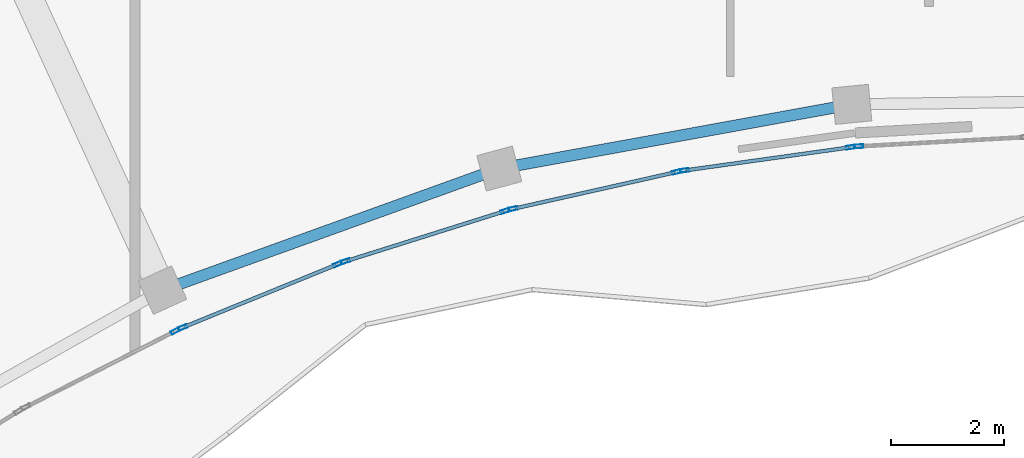
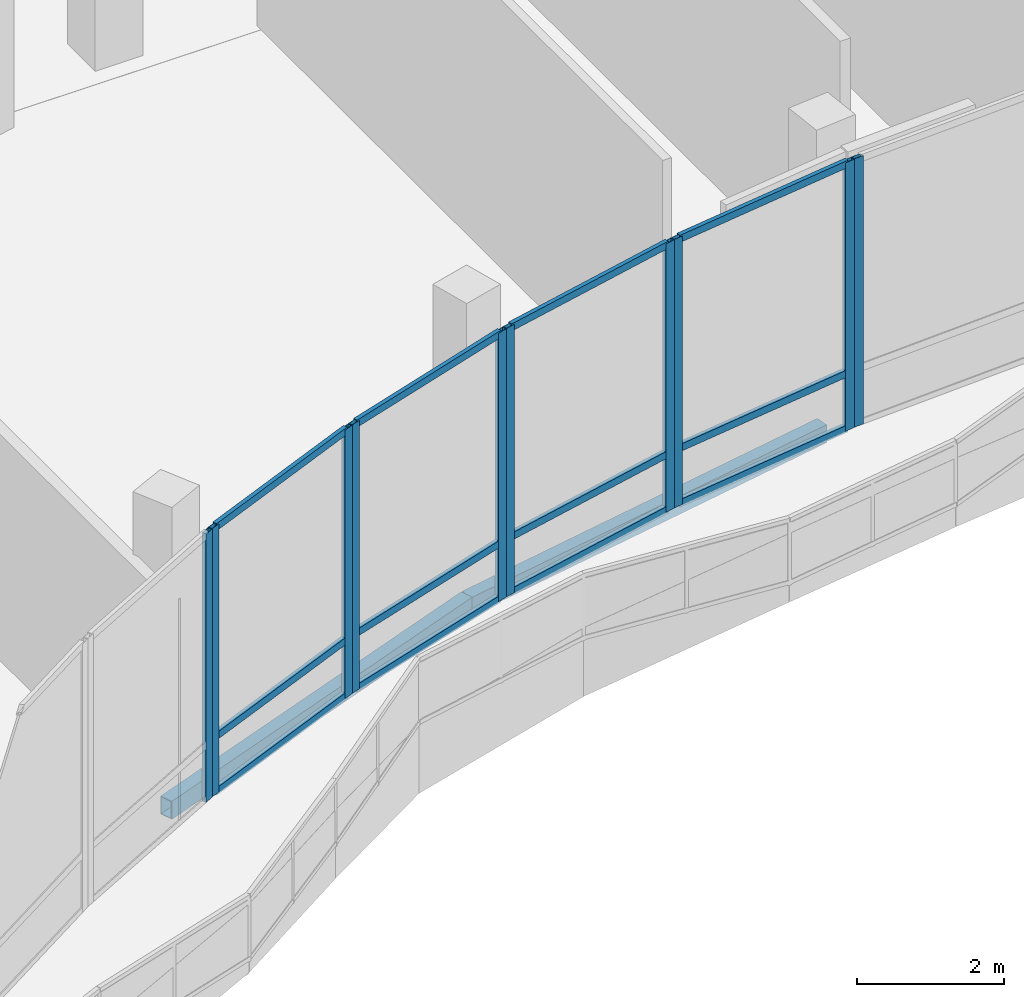
# One storey, part 54 of 155: 22 members, 2 beams, 6 elements without a shape of their own.
"""IFC4 building model written with IfcOpenShell, lengths in metres."""

from ifc_helpers import new_model, si_unit, direction, frame, origin, origin_2d, place, context, subcontext, project, spatial, hollow_rectangle, extrude, material, material_profile, profile_set, type_object, element, aggregate, save


model = new_model("IFC4")

# Units and contexts
model_context = context("Model", 3, precision=1e-05, world=origin(), true_north=direction((0.0, 1.0)))
body_context = subcontext(model_context, "Body", "Model", "MODEL_VIEW")
ifc_project = project(units=[si_unit("LENGTHUNIT", "METRE"), si_unit("AREAUNIT", "SQUARE_METRE"), si_unit("VOLUMEUNIT", "CUBIC_METRE"), si_unit("PLANEANGLEUNIT", "RADIAN"), si_unit("MASSUNIT", "GRAM", prefix="KILO")], contexts=[model_context])

# Site, building, storey
site_placement = place(None, origin())
site = spatial("IfcSite", under=ifc_project, at=site_placement, CompositionType="ELEMENT")
building_placement = place(site_placement, origin())
building = spatial("IfcBuilding", under=site, at=building_placement, Name="Selatvlak General Hospital", CompositionType="ELEMENT")
storey_placement = place(building_placement, frame((0.0, 0.0, 10.199951171875)))
storey = spatial("IfcBuildingStorey", under=building, at=storey_placement, Name="L02", CompositionType="ELEMENT", Elevation=10.199951171875)

# Beams
ifc_material_1 = material(Name="Steel S355", Category="steel")
ifc_material_profile_1 = material_profile(ifc_material_1, hollow_rectangle(XDim=0.199951171875, YDim=0.300048828125, WallThickness=0.011962890625, at=origin_2d()), Name="RHS 300x200x12")
ifc_profile_set_1 = profile_set([ifc_material_profile_1], Name="Steel S355")
beam_type = type_object("IfcBeamType", Name="BM-SP3", PredefinedType="SPANDREL", material=ifc_profile_set_1)
beam_1_placement = place(storey_placement, frame((124.083984375, 51.281005859375, -0.5048828125), z_axis=(0.94065259152, 0.339371038933, 0.0), x_axis=(-0.339371038933, 0.94065259152, 0.0)))
element("IfcBeam", 1, at=beam_1_placement, inside=storey, type_object=beam_type, Name="Beam BMR-L02-1150", PredefinedType="SPANDREL", context=body_context, shape_type="SweptSolid", body=[
    extrude(hollow_rectangle(XDim=0.199951171875, YDim=0.300048828125, WallThickness=0.011962890625, at=origin_2d()), origin(), (0.0, 0.0, 1.0), 6.341552734375),
])
beam_2_placement = place(storey_placement, frame((130.049072265625, 53.43310546875, -0.5048828125), z_axis=(0.98381754343, 0.179173215743, 0.0), x_axis=(-0.179173215743, 0.98381754343, 0.0)))
element("IfcBeam", 2, at=beam_2_placement, inside=storey, type_object=beam_type, Name="Beam BMR-L02-1151", PredefinedType="SPANDREL", context=body_context, shape_type="SweptSolid", body=[
    extrude(hollow_rectangle(XDim=0.199951171875, YDim=0.300048828125, WallThickness=0.011962890625, at=origin_2d()), origin(), (0.0, 0.0, 1.0), 6.345703125),
])

# Curtain wall, member
ifc_material_2 = material(Name="Solar-control Low-E double glazing", Category="glass")
curtain_wall_type_1 = type_object("IfcCurtainWallType", Name="CW-CW-02", PredefinedType="USERDEFINED", material=ifc_material_2)
curtain_wall_1_placement = place(storey_placement, origin())
curtain_wall_1 = element("IfcCurtainWall", 3, at=curtain_wall_1_placement, inside=storey, type_object=curtain_wall_type_1, Name="Glazed facade curtain wall CW-L02-0284", ObjectType="UNITISED CURTAIN WALL", PredefinedType="USERDEFINED")
ifc_material_3 = material(Name="Dark anodised aluminium mullion", Category="aluminium")
ifc_material_profile_2 = material_profile(ifc_material_3, hollow_rectangle(XDim=0.06494140625, YDim=0.159912109375, WallThickness=0.00390625, at=origin_2d()), Name="AL-MUL 65x160x4")
ifc_profile_set_2 = profile_set([ifc_material_profile_2], Name="Dark anodised aluminium mullion")
member_type_1 = type_object("IfcMemberType", Name="CWM-01", PredefinedType="MULLION", material=ifc_profile_set_2)
member_1_placement = place(storey_placement, frame((136.41552734375, 53.826904296875, 0.0), z_axis=(0.0, 0.0, 1.0), x_axis=(0.055159032792, -0.998477581672, 0.0)))
member_1 = element("IfcMember", 4, at=member_1_placement, type_object=member_type_1, Name="CW-02 mullion 2", PredefinedType="MULLION", context=body_context, shape_type="SweptSolid", body=[
    extrude(hollow_rectangle(XDim=0.06494140625, YDim=0.159912109375, WallThickness=0.00390625, at=origin_2d()), origin(), (0.0, 0.0, 1.0), 4.4599609375),
])
aggregate(curtain_wall_1, [member_1])

# Curtain wall, members
curtain_wall_type_2 = type_object("IfcCurtainWallType", Name="CW-CW-01", PredefinedType="USERDEFINED", material=ifc_material_2)
curtain_wall_2_placement = place(storey_placement, origin())
curtain_wall_2 = element("IfcCurtainWall", 5, at=curtain_wall_2_placement, inside=storey, type_object=curtain_wall_type_2, Name="Glazed facade curtain wall CW-L02-0285", ObjectType="UNITISED CURTAIN WALL", PredefinedType="USERDEFINED")
member_2_placement = place(storey_placement, frame((136.270751953125, 53.810546875, 0.0), z_axis=(0.0, 0.0, 1.0), x_axis=(0.138421573138, -0.990373398315, 0.0)))
member_2 = element("IfcMember", 6, at=member_2_placement, type_object=member_type_1, Name="CW-01 mullion 1", PredefinedType="MULLION", context=body_context, shape_type="SweptSolid", body=[
    extrude(hollow_rectangle(XDim=0.06494140625, YDim=0.159912109375, WallThickness=0.00390625, at=origin_2d()), origin(), (0.0, 0.0, 1.0), 4.4599609375),
])
member_3_placement = place(storey_placement, frame((133.330078125, 53.3994140625, 0.0), z_axis=(0.0, 0.0, 1.0), x_axis=(0.138421573138, -0.990373398315, 0.0)))
member_3 = element("IfcMember", 7, at=member_3_placement, type_object=member_type_1, Name="CW-01 mullion 2", PredefinedType="MULLION", context=body_context, shape_type="SweptSolid", body=[
    extrude(hollow_rectangle(XDim=0.06494140625, YDim=0.159912109375, WallThickness=0.00390625, at=origin_2d()), origin(), (0.0, 0.0, 1.0), 4.4599609375),
])

curtain_wall_3_placement = place(storey_placement, origin())
curtain_wall_3 = element("IfcCurtainWall", 8, at=curtain_wall_3_placement, inside=storey, type_object=curtain_wall_type_1, Name="Glazed facade curtain wall CW-L02-0286", ObjectType="UNITISED CURTAIN WALL", PredefinedType="USERDEFINED")
member_4_placement = place(storey_placement, frame((133.187255859375, 53.371826171875, 0.0), z_axis=(0.0, 0.0, 1.0), x_axis=(0.219653455874, -0.975577961684, 0.0)))
member_4 = element("IfcMember", 9, at=member_4_placement, type_object=member_type_1, Name="CW-02 mullion 1", PredefinedType="MULLION", context=body_context, shape_type="SweptSolid", body=[
    extrude(hollow_rectangle(XDim=0.06494140625, YDim=0.159912109375, WallThickness=0.00390625, at=origin_2d()), origin(), (0.0, 0.0, 1.0), 4.4599609375),
])
member_5_placement = place(storey_placement, frame((130.292724609375, 52.72021484375, 0.0), z_axis=(0.0, 0.0, 1.0), x_axis=(0.219653455874, -0.975577961684, 0.0)))
member_5 = element("IfcMember", 10, at=member_5_placement, type_object=member_type_1, Name="CW-02 mullion 2", PredefinedType="MULLION", context=body_context, shape_type="SweptSolid", body=[
    extrude(hollow_rectangle(XDim=0.06494140625, YDim=0.159912109375, WallThickness=0.00390625, at=origin_2d()), origin(), (0.0, 0.0, 1.0), 4.4599609375),
])

curtain_wall_4_placement = place(storey_placement, origin())
curtain_wall_4 = element("IfcCurtainWall", 11, at=curtain_wall_4_placement, inside=storey, type_object=curtain_wall_type_2, Name="Glazed facade curtain wall CW-L02-0287", ObjectType="UNITISED CURTAIN WALL", PredefinedType="USERDEFINED")
member_6_placement = place(storey_placement, frame((130.153076171875, 52.68115234375, 0.0), z_axis=(0.0, 0.0, 1.0), x_axis=(0.300246961422, -0.953861500511, 0.0)))
member_6 = element("IfcMember", 12, at=member_6_placement, type_object=member_type_1, Name="CW-01 mullion 1", PredefinedType="MULLION", context=body_context, shape_type="SweptSolid", body=[
    extrude(hollow_rectangle(XDim=0.06494140625, YDim=0.159912109375, WallThickness=0.00390625, at=origin_2d()), origin(), (0.0, 0.0, 1.0), 4.4599609375),
])
member_7_placement = place(storey_placement, frame((127.323974609375, 51.790771484375, 0.0), z_axis=(0.0, 0.0, 1.0), x_axis=(0.300246961422, -0.953861500511, 0.0)))
member_7 = element("IfcMember", 13, at=member_7_placement, type_object=member_type_1, Name="CW-01 mullion 2", PredefinedType="MULLION", context=body_context, shape_type="SweptSolid", body=[
    extrude(hollow_rectangle(XDim=0.06494140625, YDim=0.159912109375, WallThickness=0.00390625, at=origin_2d()), origin(), (0.0, 0.0, 1.0), 4.4599609375),
])

curtain_wall_5_placement = place(storey_placement, origin())
curtain_wall_5 = element("IfcCurtainWall", 14, at=curtain_wall_5_placement, inside=storey, type_object=curtain_wall_type_1, Name="Glazed facade curtain wall CW-L02-0288", ObjectType="UNITISED CURTAIN WALL", PredefinedType="USERDEFINED")
member_8_placement = place(storey_placement, frame((127.18896484375, 51.73974609375, 0.0), z_axis=(0.0, 0.0, 1.0), x_axis=(0.377977773903, -0.925814669594, 0.0)))
member_8 = element("IfcMember", 15, at=member_8_placement, type_object=member_type_1, Name="CW-02 mullion 1", PredefinedType="MULLION", context=body_context, shape_type="SweptSolid", body=[
    extrude(hollow_rectangle(XDim=0.06494140625, YDim=0.159912109375, WallThickness=0.00390625, at=origin_2d()), origin(), (0.0, 0.0, 1.0), 4.4599609375),
])
member_9_placement = place(storey_placement, frame((124.442138671875, 50.6181640625, 0.0), z_axis=(0.0, 0.0, 1.0), x_axis=(0.377977773903, -0.925814669594, 0.0)))
member_9 = element("IfcMember", 16, at=member_9_placement, type_object=member_type_1, Name="CW-02 mullion 2", PredefinedType="MULLION", context=body_context, shape_type="SweptSolid", body=[
    extrude(hollow_rectangle(XDim=0.06494140625, YDim=0.159912109375, WallThickness=0.00390625, at=origin_2d()), origin(), (0.0, 0.0, 1.0), 4.4599609375),
])

# Curtain wall, member
curtain_wall_6_placement = place(storey_placement, origin())
curtain_wall_6 = element("IfcCurtainWall", 17, at=curtain_wall_6_placement, inside=storey, type_object=curtain_wall_type_2, Name="Glazed facade curtain wall CW-L02-0289", ObjectType="UNITISED CURTAIN WALL", PredefinedType="USERDEFINED")
member_10_placement = place(storey_placement, frame((124.31103515625, 50.55517578125, 0.0), z_axis=(0.0, 0.0, 1.0), x_axis=(0.453135718509, -0.89144154077, 0.0)))
member_10 = element("IfcMember", 18, at=member_10_placement, type_object=member_type_1, Name="CW-01 mullion 1", PredefinedType="MULLION", context=body_context, shape_type="SweptSolid", body=[
    extrude(hollow_rectangle(XDim=0.06494140625, YDim=0.159912109375, WallThickness=0.00390625, at=origin_2d()), origin(), (0.0, 0.0, 1.0), 4.4599609375),
])
aggregate(curtain_wall_6, [member_10])

# Member
ifc_material_profile_3 = material_profile(ifc_material_3, hollow_rectangle(XDim=0.06494140625, YDim=0.1201171875, WallThickness=0.00390625, at=origin_2d()), Name="AL-TRN 65x120x4")
ifc_profile_set_3 = profile_set([ifc_material_profile_3], Name="Dark anodised aluminium mullion")
member_type_2 = type_object("IfcMemberType", Name="CWT-01", PredefinedType="USERDEFINED", material=ifc_profile_set_3)
member_11_placement = place(storey_placement, frame((136.238525390625, 53.805908203125, 0.032470703125), z_axis=(-0.990380261948, -0.138372456597, 0.0), x_axis=(0.138372456597, -0.990380261948, 0.0)))
member_11 = element("IfcMember", 19, at=member_11_placement, type_object=member_type_2, Name="CW-01 transom 1.1", ObjectType="TRANSOM", PredefinedType="USERDEFINED", context=body_context, shape_type="SweptSolid", body=[
    extrude(hollow_rectangle(XDim=0.06494140625, YDim=0.1201171875, WallThickness=0.00390625, at=origin_2d()), origin(), (0.0, 0.0, 1.0), 2.904052734375),
])

member_12_placement = place(storey_placement, frame((136.238525390625, 53.805908203125, 0.949951171875), z_axis=(-0.990380261948, -0.138372456597, 0.0), x_axis=(0.138372456597, -0.990380261948, 0.0)))
member_12 = element("IfcMember", 20, at=member_12_placement, type_object=member_type_2, Name="CW-01 transom 1.2", ObjectType="TRANSOM", PredefinedType="USERDEFINED", context=body_context, shape_type="SweptSolid", body=[
    extrude(hollow_rectangle(XDim=0.06494140625, YDim=0.1201171875, WallThickness=0.00390625, at=origin_2d()), origin(), (0.0, 0.0, 1.0), 2.904052734375),
])

member_13_placement = place(storey_placement, frame((136.238525390625, 53.805908203125, 4.427490234375), z_axis=(-0.990380261948, -0.138372456597, 0.0), x_axis=(0.138372456597, -0.990380261948, 0.0)))
member_13 = element("IfcMember", 21, at=member_13_placement, type_object=member_type_2, Name="CW-01 transom 1.3", ObjectType="TRANSOM", PredefinedType="USERDEFINED", context=body_context, shape_type="SweptSolid", body=[
    extrude(hollow_rectangle(XDim=0.06494140625, YDim=0.1201171875, WallThickness=0.00390625, at=origin_2d()), origin(), (0.0, 0.0, 1.0), 2.904052734375),
])

aggregate(curtain_wall_2, [member_2, member_3, member_11, member_12, member_13])

member_14_placement = place(storey_placement, frame((133.155517578125, 53.36474609375, 0.032470703125), z_axis=(-0.975575511541, -0.219664337757, 0.0), x_axis=(0.219664337757, -0.975575511541, 0.0)))
member_14 = element("IfcMember", 22, at=member_14_placement, type_object=member_type_2, Name="CW-02 transom 1.1", ObjectType="TRANSOM", PredefinedType="USERDEFINED", context=body_context, shape_type="SweptSolid", body=[
    extrude(hollow_rectangle(XDim=0.06494140625, YDim=0.1201171875, WallThickness=0.00390625, at=origin_2d()), origin(), (0.0, 0.0, 1.0), 2.90185546875),
])

member_15_placement = place(storey_placement, frame((133.155517578125, 53.36474609375, 0.949951171875), z_axis=(-0.975575511541, -0.219664337757, 0.0), x_axis=(0.219664337757, -0.975575511541, 0.0)))
member_15 = element("IfcMember", 23, at=member_15_placement, type_object=member_type_2, Name="CW-02 transom 1.2", ObjectType="TRANSOM", PredefinedType="USERDEFINED", context=body_context, shape_type="SweptSolid", body=[
    extrude(hollow_rectangle(XDim=0.06494140625, YDim=0.1201171875, WallThickness=0.00390625, at=origin_2d()), origin(), (0.0, 0.0, 1.0), 2.90185546875),
])

member_16_placement = place(storey_placement, frame((133.155517578125, 53.36474609375, 4.427490234375), z_axis=(-0.975575511541, -0.219664337757, 0.0), x_axis=(0.219664337757, -0.975575511541, 0.0)))
member_16 = element("IfcMember", 24, at=member_16_placement, type_object=member_type_2, Name="CW-02 transom 1.3", ObjectType="TRANSOM", PredefinedType="USERDEFINED", context=body_context, shape_type="SweptSolid", body=[
    extrude(hollow_rectangle(XDim=0.06494140625, YDim=0.1201171875, WallThickness=0.00390625, at=origin_2d()), origin(), (0.0, 0.0, 1.0), 2.90185546875),
])

aggregate(curtain_wall_3, [member_4, member_5, member_14, member_15, member_16])

member_17_placement = place(storey_placement, frame((130.1220703125, 52.67138671875, 0.032470703125), z_axis=(-0.95387603128, -0.300200794386, 0.0), x_axis=(0.300200794386, -0.95387603128, 0.0)))
member_17 = element("IfcMember", 25, at=member_17_placement, type_object=member_type_2, Name="CW-01 transom 1.1", ObjectType="TRANSOM", PredefinedType="USERDEFINED", context=body_context, shape_type="SweptSolid", body=[
    extrude(hollow_rectangle(XDim=0.06494140625, YDim=0.1201171875, WallThickness=0.00390625, at=origin_2d()), origin(), (0.0, 0.0, 1.0), 2.90087890625),
])

member_18_placement = place(storey_placement, frame((130.1220703125, 52.67138671875, 0.949951171875), z_axis=(-0.95387603128, -0.300200794386, 0.0), x_axis=(0.300200794386, -0.95387603128, 0.0)))
member_18 = element("IfcMember", 26, at=member_18_placement, type_object=member_type_2, Name="CW-01 transom 1.2", ObjectType="TRANSOM", PredefinedType="USERDEFINED", context=body_context, shape_type="SweptSolid", body=[
    extrude(hollow_rectangle(XDim=0.06494140625, YDim=0.1201171875, WallThickness=0.00390625, at=origin_2d()), origin(), (0.0, 0.0, 1.0), 2.90087890625),
])

member_19_placement = place(storey_placement, frame((130.1220703125, 52.67138671875, 4.427490234375), z_axis=(-0.95387603128, -0.300200794386, 0.0), x_axis=(0.300200794386, -0.95387603128, 0.0)))
member_19 = element("IfcMember", 27, at=member_19_placement, type_object=member_type_2, Name="CW-01 transom 1.3", ObjectType="TRANSOM", PredefinedType="USERDEFINED", context=body_context, shape_type="SweptSolid", body=[
    extrude(hollow_rectangle(XDim=0.06494140625, YDim=0.1201171875, WallThickness=0.00390625, at=origin_2d()), origin(), (0.0, 0.0, 1.0), 2.90087890625),
])

aggregate(curtain_wall_4, [member_6, member_7, member_17, member_18, member_19])

member_20_placement = place(storey_placement, frame((127.158935546875, 51.7275390625, 0.032470703125), z_axis=(-0.925813400573, -0.377980882215, 0.0), x_axis=(0.377980882215, -0.925813400573, 0.0)))
member_20 = element("IfcMember", 28, at=member_20_placement, type_object=member_type_2, Name="CW-02 transom 1.1", ObjectType="TRANSOM", PredefinedType="USERDEFINED", context=body_context, shape_type="SweptSolid", body=[
    extrude(hollow_rectangle(XDim=0.06494140625, YDim=0.1201171875, WallThickness=0.00390625, at=origin_2d()), origin(), (0.0, 0.0, 1.0), 2.902099609375),
])

member_21_placement = place(storey_placement, frame((127.158935546875, 51.7275390625, 0.949951171875), z_axis=(-0.925813400573, -0.377980882215, 0.0), x_axis=(0.377980882215, -0.925813400573, 0.0)))
member_21 = element("IfcMember", 29, at=member_21_placement, type_object=member_type_2, Name="CW-02 transom 1.2", ObjectType="TRANSOM", PredefinedType="USERDEFINED", context=body_context, shape_type="SweptSolid", body=[
    extrude(hollow_rectangle(XDim=0.06494140625, YDim=0.1201171875, WallThickness=0.00390625, at=origin_2d()), origin(), (0.0, 0.0, 1.0), 2.902099609375),
])

member_22_placement = place(storey_placement, frame((127.158935546875, 51.7275390625, 4.427490234375), z_axis=(-0.925813400573, -0.377980882215, 0.0), x_axis=(0.377980882215, -0.925813400573, 0.0)))
member_22 = element("IfcMember", 30, at=member_22_placement, type_object=member_type_2, Name="CW-02 transom 1.3", ObjectType="TRANSOM", PredefinedType="USERDEFINED", context=body_context, shape_type="SweptSolid", body=[
    extrude(hollow_rectangle(XDim=0.06494140625, YDim=0.1201171875, WallThickness=0.00390625, at=origin_2d()), origin(), (0.0, 0.0, 1.0), 2.902099609375),
])

aggregate(curtain_wall_5, [member_8, member_9, member_20, member_21, member_22])

save(model, "model.ifc")
